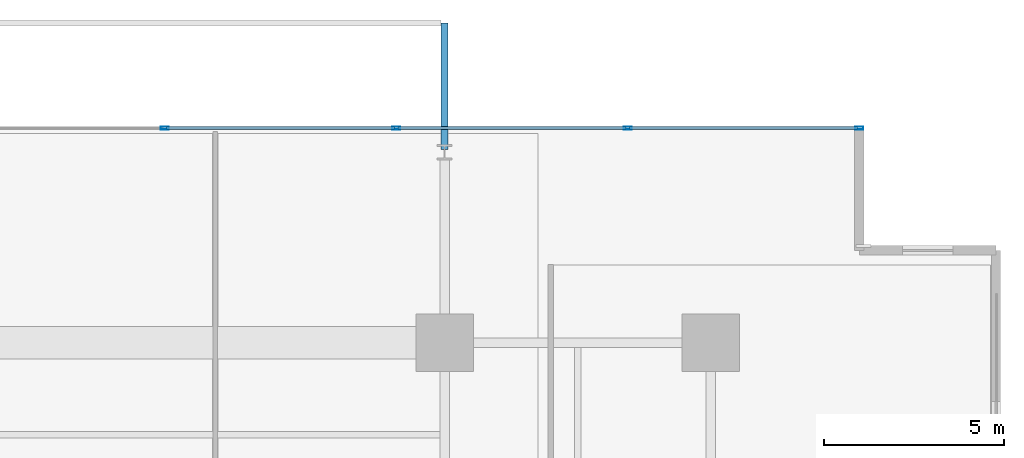
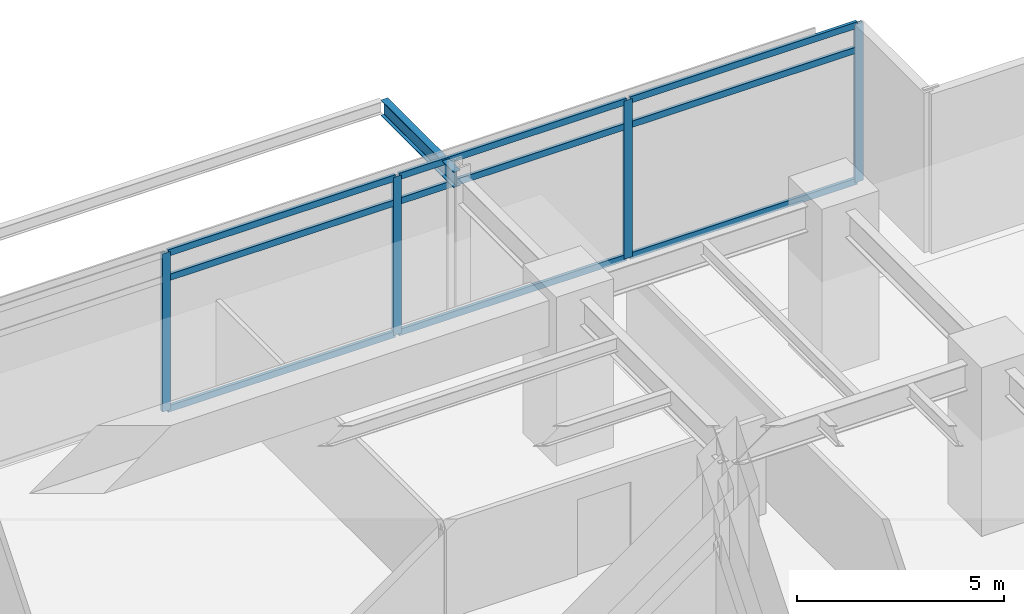
# One storey, part 12 of 24: 13 members, 1 beam, 1 element without a shape of its own.
"""IFC4 building model written with IfcOpenShell, lengths in metres."""

from ifc_helpers import new_model, si_unit, direction, frame, origin, origin_2d, place, context, subcontext, project, spatial, hollow_rectangle, i_section, extrude, material, material_profile, profile_set, type_object, element, aggregate, save


model = new_model("IFC4")

# Units and contexts
model_context = context("Model", 3, precision=1e-05, world=origin(), true_north=direction((0.0, 1.0)))
body_context = subcontext(model_context, "Body", "Model", "MODEL_VIEW")
ifc_project = project(units=[si_unit("LENGTHUNIT", "METRE"), si_unit("AREAUNIT", "SQUARE_METRE"), si_unit("VOLUMEUNIT", "CUBIC_METRE"), si_unit("PLANEANGLEUNIT", "RADIAN"), si_unit("MASSUNIT", "GRAM", prefix="KILO")], contexts=[model_context])

# Site, building, storey
site_placement = place(None, origin())
site = spatial("IfcSite", under=ifc_project, at=site_placement, CompositionType="ELEMENT")
building_placement = place(site_placement, origin())
building = spatial("IfcBuilding", under=site, at=building_placement, Name="Kovane Verandah Tower", CompositionType="ELEMENT")
storey_placement = place(building_placement, frame((0.0, 0.0, 118.39990234375)))
storey = spatial("IfcBuildingStorey", under=building, at=storey_placement, Name="L27", CompositionType="ELEMENT", Elevation=118.39990234375)

# Curtain wall, members
ifc_material_1 = material(Name="Champagne Anodised Aluminium Frame with Low-E Clear Laminated Glass", Category="aluminium")
curtain_wall_type = type_object("IfcCurtainWallType", Name="CW-SYS-03-MID", PredefinedType="NOTDEFINED", material=ifc_material_1)
curtain_wall_placement = place(storey_placement, origin())
curtain_wall = element("IfcCurtainWall", 1, at=curtain_wall_placement, inside=storey, type_object=curtain_wall_type, Name="L27 N Unitised Curtain Wall", PredefinedType="NOTDEFINED")
ifc_material_2 = material(Name="Champagne Anodised Aluminium 6063-T6", Category="aluminium")
ifc_material_profile_1 = material_profile(ifc_material_2, hollow_rectangle(XDim=0.0849609375, YDim=0.22998046875, WallThickness=0.00390625, at=origin_2d()), Name="AL85x230x4")
ifc_profile_set_1 = profile_set([ifc_material_profile_1], Name="Champagne Anodised Aluminium 6063-T6")
member_type_1 = type_object("IfcMemberType", Name="CW-MUL-85x230", PredefinedType="MULLION", material=ifc_profile_set_1)
member_1_placement = place(storey_placement, frame((62.52978515625, 50.1708984375, 0.02001953125), z_axis=(0.0, 0.0, 1.0), x_axis=(0.0, 1.0, 0.0)))
member_1 = element("IfcMember", 2, at=member_1_placement, type_object=member_type_1, Name="L27 N Unitised Curtain Wall Mullion 1", PredefinedType="MULLION", context=body_context, shape_type="SweptSolid", body=[
    extrude(hollow_rectangle(XDim=0.0849609375, YDim=0.22998046875, WallThickness=0.00390625, at=origin_2d()), origin(), (0.0, 0.0, 1.0), 4.66015625),
])
member_2_placement = place(storey_placement, frame((56.0927734375, 50.1708984375, 0.02001953125), z_axis=(0.0, 0.0, 1.0), x_axis=(0.0, 1.0, 0.0)))
member_2 = element("IfcMember", 3, at=member_2_placement, type_object=member_type_1, Name="L27 N Unitised Curtain Wall Mullion 2", PredefinedType="MULLION", context=body_context, shape_type="SweptSolid", body=[
    extrude(hollow_rectangle(XDim=0.0849609375, YDim=0.22998046875, WallThickness=0.00390625, at=origin_2d()), origin(), (0.0, 0.0, 1.0), 4.66015625),
])
member_3_placement = place(storey_placement, frame((49.65576171875, 50.1708984375, 0.02001953125), z_axis=(0.0, 0.0, 1.0), x_axis=(0.0, 1.0, 0.0)))
member_3 = element("IfcMember", 4, at=member_3_placement, type_object=member_type_1, Name="L27 N Unitised Curtain Wall Mullion 3", PredefinedType="MULLION", context=body_context, shape_type="SweptSolid", body=[
    extrude(hollow_rectangle(XDim=0.0849609375, YDim=0.22998046875, WallThickness=0.00390625, at=origin_2d()), origin(), (0.0, 0.0, 1.0), 4.66015625),
])
member_4_placement = place(storey_placement, frame((43.218505859375, 50.1708984375, 0.02001953125), z_axis=(0.0, 0.0, 1.0), x_axis=(0.0, 1.0, 0.0)))
member_4 = element("IfcMember", 5, at=member_4_placement, type_object=member_type_1, Name="L27 N Unitised Curtain Wall Mullion 4", PredefinedType="MULLION", context=body_context, shape_type="SweptSolid", body=[
    extrude(hollow_rectangle(XDim=0.0849609375, YDim=0.22998046875, WallThickness=0.00390625, at=origin_2d()), origin(), (0.0, 0.0, 1.0), 4.66015625),
])
ifc_material_profile_2 = material_profile(ifc_material_2, hollow_rectangle(XDim=0.0849609375, YDim=0.18994140625, WallThickness=0.00390625, at=origin_2d()), Name="AL85x190x4")
ifc_profile_set_2 = profile_set([ifc_material_profile_2], Name="Champagne Anodised Aluminium 6063-T6")
member_type_2 = type_object("IfcMemberType", Name="CW-TRN-85x190", PredefinedType="USERDEFINED", material=ifc_profile_set_2)
member_5_placement = place(storey_placement, frame((62.47998046875, 50.1708984375, 0.050048828125), z_axis=(-1.0, 0.0, 0.0), x_axis=(0.0, -1.0, 0.0)))
member_5 = element("IfcMember", 6, at=member_5_placement, type_object=member_type_2, Name="L27 N Unitised Curtain Wall Transom TB Bay 1", ObjectType="TRANSOM", PredefinedType="USERDEFINED", context=body_context, shape_type="SweptSolid", body=[
    extrude(hollow_rectangle(XDim=0.0849609375, YDim=0.18994140625, WallThickness=0.00390625, at=origin_2d()), origin(), (0.0, 0.0, 1.0), 6.337158203125),
])
member_6_placement = place(storey_placement, frame((62.47998046875, 50.1708984375, 3.920166015625), z_axis=(-1.0, 0.0, 0.0), x_axis=(0.0, -1.0, 0.0)))
member_6 = element("IfcMember", 7, at=member_6_placement, type_object=member_type_2, Name="L27 N Unitised Curtain Wall Transom TM Bay 1", ObjectType="TRANSOM", PredefinedType="USERDEFINED", context=body_context, shape_type="SweptSolid", body=[
    extrude(hollow_rectangle(XDim=0.0849609375, YDim=0.18994140625, WallThickness=0.00390625, at=origin_2d()), origin(), (0.0, 0.0, 1.0), 6.337158203125),
])
member_7_placement = place(storey_placement, frame((62.47998046875, 50.1708984375, 4.650146484375), z_axis=(-1.0, 0.0, 0.0), x_axis=(0.0, -1.0, 0.0)))
member_7 = element("IfcMember", 8, at=member_7_placement, type_object=member_type_2, Name="L27 N Unitised Curtain Wall Transom TT Bay 1", ObjectType="TRANSOM", PredefinedType="USERDEFINED", context=body_context, shape_type="SweptSolid", body=[
    extrude(hollow_rectangle(XDim=0.0849609375, YDim=0.18994140625, WallThickness=0.00390625, at=origin_2d()), origin(), (0.0, 0.0, 1.0), 6.337158203125),
])
member_8_placement = place(storey_placement, frame((56.042724609375, 50.1708984375, 0.050048828125), z_axis=(-1.0, 0.0, 0.0), x_axis=(0.0, -1.0, 0.0)))
member_8 = element("IfcMember", 9, at=member_8_placement, type_object=member_type_2, Name="L27 N Unitised Curtain Wall Transom TB Bay 2", ObjectType="TRANSOM", PredefinedType="USERDEFINED", context=body_context, shape_type="SweptSolid", body=[
    extrude(hollow_rectangle(XDim=0.0849609375, YDim=0.18994140625, WallThickness=0.00390625, at=origin_2d()), origin(), (0.0, 0.0, 1.0), 6.3369140625),
])
member_9_placement = place(storey_placement, frame((56.042724609375, 50.1708984375, 3.920166015625), z_axis=(-1.0, 0.0, 0.0), x_axis=(0.0, -1.0, 0.0)))
member_9 = element("IfcMember", 10, at=member_9_placement, type_object=member_type_2, Name="L27 N Unitised Curtain Wall Transom TM Bay 2", ObjectType="TRANSOM", PredefinedType="USERDEFINED", context=body_context, shape_type="SweptSolid", body=[
    extrude(hollow_rectangle(XDim=0.0849609375, YDim=0.18994140625, WallThickness=0.00390625, at=origin_2d()), origin(), (0.0, 0.0, 1.0), 6.3369140625),
])
member_10_placement = place(storey_placement, frame((56.042724609375, 50.1708984375, 4.650146484375), z_axis=(-1.0, 0.0, 0.0), x_axis=(0.0, -1.0, 0.0)))
member_10 = element("IfcMember", 11, at=member_10_placement, type_object=member_type_2, Name="L27 N Unitised Curtain Wall Transom TT Bay 2", ObjectType="TRANSOM", PredefinedType="USERDEFINED", context=body_context, shape_type="SweptSolid", body=[
    extrude(hollow_rectangle(XDim=0.0849609375, YDim=0.18994140625, WallThickness=0.00390625, at=origin_2d()), origin(), (0.0, 0.0, 1.0), 6.3369140625),
])
member_11_placement = place(storey_placement, frame((49.605712890625, 50.1708984375, 0.050048828125), z_axis=(-1.0, 0.0, 0.0), x_axis=(0.0, -1.0, 0.0)))
member_11 = element("IfcMember", 12, at=member_11_placement, type_object=member_type_2, Name="L27 N Unitised Curtain Wall Transom TB Bay 3", ObjectType="TRANSOM", PredefinedType="USERDEFINED", context=body_context, shape_type="SweptSolid", body=[
    extrude(hollow_rectangle(XDim=0.0849609375, YDim=0.18994140625, WallThickness=0.00390625, at=origin_2d()), origin(), (0.0, 0.0, 1.0), 6.337158203125),
])
member_12_placement = place(storey_placement, frame((49.605712890625, 50.1708984375, 3.920166015625), z_axis=(-1.0, 0.0, 0.0), x_axis=(0.0, -1.0, 0.0)))
member_12 = element("IfcMember", 13, at=member_12_placement, type_object=member_type_2, Name="L27 N Unitised Curtain Wall Transom TM Bay 3", ObjectType="TRANSOM", PredefinedType="USERDEFINED", context=body_context, shape_type="SweptSolid", body=[
    extrude(hollow_rectangle(XDim=0.0849609375, YDim=0.18994140625, WallThickness=0.00390625, at=origin_2d()), origin(), (0.0, 0.0, 1.0), 6.337158203125),
])
member_13_placement = place(storey_placement, frame((49.605712890625, 50.1708984375, 4.650146484375), z_axis=(-1.0, 0.0, 0.0), x_axis=(0.0, -1.0, 0.0)))
member_13 = element("IfcMember", 14, at=member_13_placement, type_object=member_type_2, Name="L27 N Unitised Curtain Wall Transom TT Bay 3", ObjectType="TRANSOM", PredefinedType="USERDEFINED", context=body_context, shape_type="SweptSolid", body=[
    extrude(hollow_rectangle(XDim=0.0849609375, YDim=0.18994140625, WallThickness=0.00390625, at=origin_2d()), origin(), (0.0, 0.0, 1.0), 6.337158203125),
])
aggregate(curtain_wall, [member_1, member_2, member_3, member_4, member_5, member_6, member_7, member_8, member_9, member_10, member_11, member_12, member_13])

# Beam
ifc_material_3 = material(Name="Steel S355", Category="steel")
ifc_material_profile_3 = material_profile(ifc_material_3, i_section(OverallWidth=0.19287109375, OverallDepth=0.46728515625, WebThickness=0.011474609375, FlangeThickness=0.01953125, FilletRadius=0.01025390625, at=origin_2d()), Name="UB457x191x98")
ifc_profile_set_3 = profile_set([ifc_material_profile_3], Name="Steel S355")
beam_type = type_object("IfcBeamType", Name="JST-UB457x98", PredefinedType="JOIST", material=ifc_profile_set_3)
beam_placement = place(storey_placement, frame((51.0, 49.580078125, 4.466552734375), z_axis=(0.0, 1.0, 0.0), x_axis=(-1.0, 0.0, 0.0)))
element("IfcBeam", 15, at=beam_placement, inside=storey, type_object=beam_type, Name="L27 North Planter Girder 2", PredefinedType="JOIST", context=body_context, shape_type="SweptSolid", body=[
    extrude(i_section(OverallWidth=0.19287109375, OverallDepth=0.46728515625, WebThickness=0.011474609375, FlangeThickness=0.01953125, FilletRadius=0.01025390625, at=origin_2d()), origin(), (0.0, 0.0, 1.0), 3.509033203125),
])

save(model, "model.ifc")
